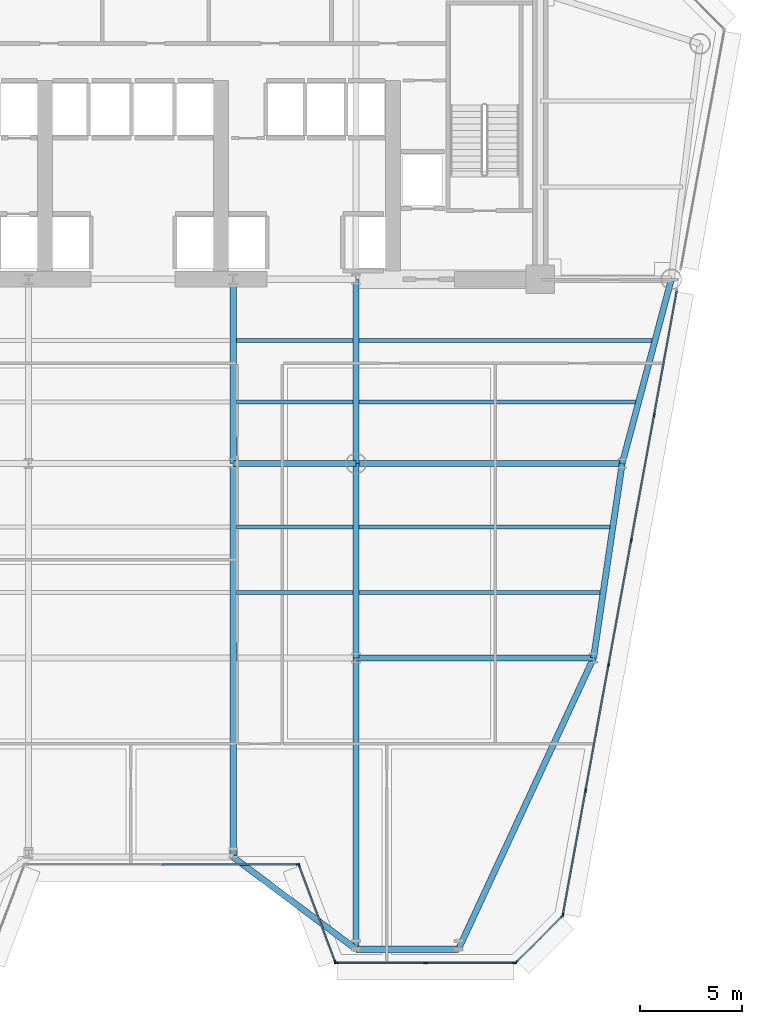
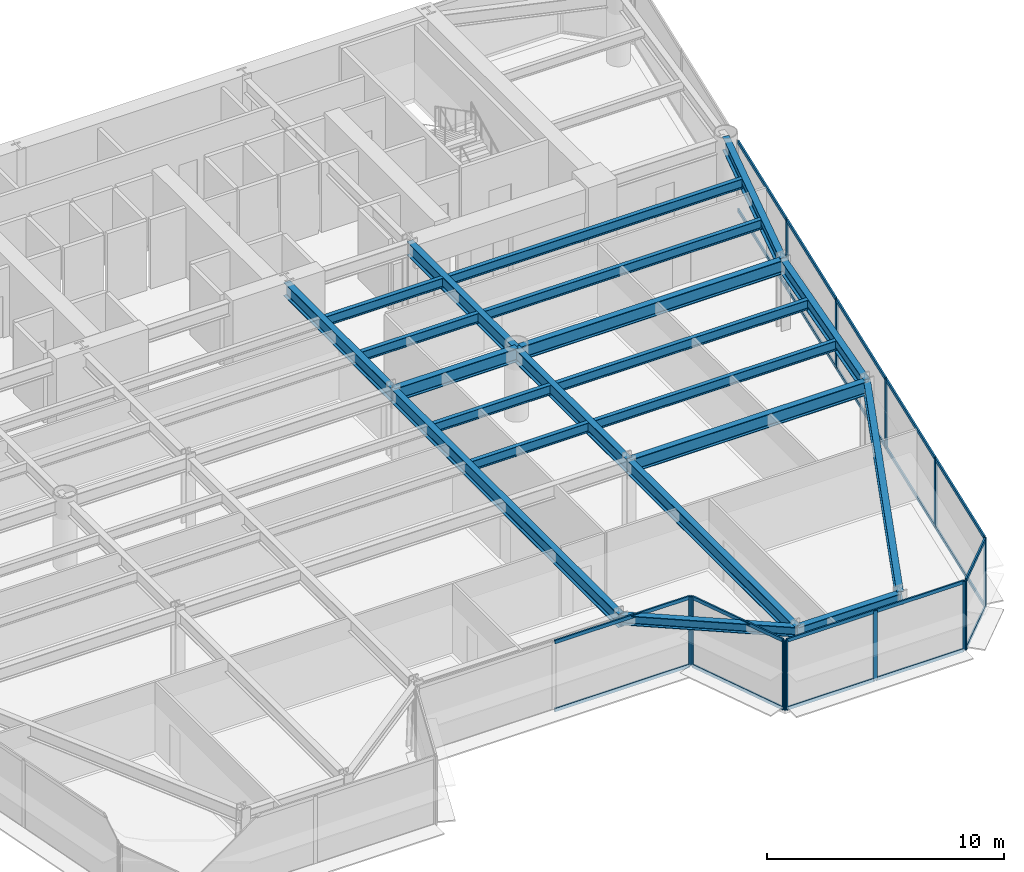
# One storey, part 5 of 15: 33 members, 21 beams, 5 elements without a shape of their own.
"""IFC4 building model written with IfcOpenShell, lengths in metres."""

import ifcopenshell
import ifcopenshell.guid

model = None  # the IFC model being written
_history = None  # IfcOwnerHistory: only IFC2X3 demands one
_inside = {}  # id of a spatial element -> (the spatial element, [elements in it])
_under = {}  # id of a project, library or spatial element -> (it, [spatial elements below it])
_declared = {}  # id of a project -> (the project, [libraries it declares])
_typed = {}  # id of a type object -> (the type object, [elements of that type])
_made_of = {}  # id of a material, layer set ... -> (it, [elements and type objects made of it])


def new_model(schema):
    """Start an empty IFC model of exactly this schema.

    Asked for "IFC4X3", IfcOpenShell would pick the latest addendum, in which some entities
    have other attributes; the version numbers below select the first issue.
    IFC2X3 requires an IfcOwnerHistory on every rooted entity: one is made here for all.
    """
    global model, _history
    if schema == "IFC4X3":
        model = ifcopenshell.file(schema_version=(4, 3, 0, 0))
    else:
        model = ifcopenshell.file(schema=schema)
    _inside.clear()
    _under.clear()
    _declared.clear()
    _typed.clear()
    _made_of.clear()
    _history = None
    if model.schema == "IFC2X3":
        org = make("IfcOrganization", Name="unknown")
        user = make(
            "IfcPersonAndOrganization",
            ThePerson=make("IfcPerson", FamilyName="unknown"),
            TheOrganization=org,
        )
        app = make(
            "IfcApplication",
            ApplicationDeveloper=org,
            Version="unknown",
            ApplicationFullName="unknown",
            ApplicationIdentifier="unknown",
        )
        _history = make(
            "IfcOwnerHistory",
            OwningUser=user,
            OwningApplication=app,
            ChangeAction="ADDED",
            CreationDate=0,
        )
    return model


def make(cls, **values):
    """One entity of the class cls with the attributes given. An attribute that is None is left unset."""
    return model.create_entity(
        cls, **{name: value for name, value in values.items() if value is not None}
    )


def rooted(cls, **values):
    """An entity with a GlobalId (a new one), such as an element, a storey or a relation."""
    return make(cls, GlobalId=ifcopenshell.guid.new(), OwnerHistory=_history, **values)


def si_unit(unit_type, name, prefix=None):
    """IfcSIUnit, for example si_unit("LENGTHUNIT", "METRE", prefix="MILLI")."""
    return make("IfcSIUnit", UnitType=unit_type, Prefix=prefix, Name=name)


def assignment(units):
    """IfcUnitAssignment: the units of a project."""
    return None if units is None else make("IfcUnitAssignment", Units=units)


def point(xyz):
    """IfcCartesianPoint."""
    return None if xyz is None else make("IfcCartesianPoint", Coordinates=xyz)


def direction(xyz):
    """IfcDirection."""
    return None if xyz is None else make("IfcDirection", DirectionRatios=xyz)


def frame(location, z_axis=None, x_axis=None):
    """IfcAxis2Placement3D, a coordinate frame: its origin and axes. An axis left out is left unset."""
    return make(
        "IfcAxis2Placement3D",
        Location=point(location),
        Axis=direction(z_axis),
        RefDirection=direction(x_axis),
    )


def frame_2d(location, x_axis=None):
    """IfcAxis2Placement2D, a coordinate frame in the plane: its origin and x axis."""
    return make(
        "IfcAxis2Placement2D", Location=point(location), RefDirection=direction(x_axis)
    )


def origin():
    """The frame at (0, 0, 0) with its axes left unset."""
    return frame((0.0, 0.0, 0.0))


def origin_2d():
    """The frame at (0, 0) in the plane with its x axis left unset."""
    return frame_2d((0.0, 0.0))


def place(relative_to, where):
    """IfcLocalPlacement: puts the frame where relative to a parent placement (None: the world)."""
    return make(
        "IfcLocalPlacement", PlacementRelTo=relative_to, RelativePlacement=where
    )


def context(
    kind, dimensions, precision=None, world=None, true_north=None, identifier=None
):
    """IfcGeometricRepresentationContext, for example the 3D "Model" context."""
    return make(
        "IfcGeometricRepresentationContext",
        ContextIdentifier=identifier,
        ContextType=kind,
        CoordinateSpaceDimension=dimensions,
        Precision=precision,
        WorldCoordinateSystem=world,
        TrueNorth=true_north,
    )


def subcontext(parent, identifier, kind, view, scale=None):
    """IfcGeometricRepresentationSubContext, for example "Body" below "Model"."""
    return make(
        "IfcGeometricRepresentationSubContext",
        ContextIdentifier=identifier,
        ContextType=kind,
        ParentContext=parent,
        TargetScale=scale,
        TargetView=view,
    )


def project(units=None, contexts=None):
    """IfcProject with its units and contexts."""
    return rooted(
        "IfcProject",
        Name="project",
        RepresentationContexts=contexts,
        UnitsInContext=assignment(units),
    )


def spatial(cls, under=None, at=None, **own):
    """A site, building, storey or space (cls), placed at a placement, below another one or the project."""
    s = rooted(cls, ObjectPlacement=at, **own)
    if under is not None:
        _under.setdefault(under.id(), (under, []))[1].append(s)
    return s


def profile(cls, at=None, kind="AREA", **sizes):
    """A parametric profile (cls). Its sizes go by their IFC names, for example OverallWidth=200.0."""
    return make(cls, ProfileType=kind, Position=at, **sizes)


def rectangle(**sizes):
    """IfcRectangleProfileDef."""
    return profile("IfcRectangleProfileDef", **sizes)


def i_section(**sizes):
    """IfcIShapeProfileDef."""
    return profile("IfcIShapeProfileDef", **sizes)


def extrude(swept, where, along, depth):
    """IfcExtrudedAreaSolid: the profile swept, set in the frame where, extruded along a direction by depth."""
    return make(
        "IfcExtrudedAreaSolid",
        SweptArea=swept,
        Position=where,
        ExtrudedDirection=direction(along),
        Depth=depth,
    )


def shape(context_of_items, identifier, shape_type, items):
    """IfcShapeRepresentation: the items that make up one representation, for example the "Body"."""
    return make(
        "IfcShapeRepresentation",
        ContextOfItems=context_of_items,
        RepresentationIdentifier=identifier,
        RepresentationType=shape_type,
        Items=items,
    )


def source(mapping_origin, context_of_items, identifier, shape_type, items):
    """IfcRepresentationMap: a shape defined once, which mapped items show again and again."""
    return make(
        "IfcRepresentationMap",
        MappingOrigin=mapping_origin,
        MappedRepresentation=shape(context_of_items, identifier, shape_type, items),
    )


def transform(
    local_origin,
    x_axis=None,
    y_axis=None,
    z_axis=None,
    scale=None,
    scale2=None,
    scale3=None,
    uniform=True,
):
    """IfcCartesianTransformationOperator3D, or its non-uniform kind. x_axis, y_axis, z_axis: its Axis1, 2, 3."""
    if uniform:
        return make(
            "IfcCartesianTransformationOperator3D",
            Axis1=direction(x_axis),
            Axis2=direction(y_axis),
            LocalOrigin=point(local_origin),
            Scale=scale,
            Axis3=direction(z_axis),
        )
    return make(
        "IfcCartesianTransformationOperator3DnonUniform",
        Axis1=direction(x_axis),
        Axis2=direction(y_axis),
        LocalOrigin=point(local_origin),
        Scale=scale,
        Axis3=direction(z_axis),
        Scale2=scale2,
        Scale3=scale3,
    )


def mapped(mapping_source, mapping_target):
    """IfcMappedItem: shows the shape of a source again, moved by a transform."""
    return make(
        "IfcMappedItem", MappingSource=mapping_source, MappingTarget=mapping_target
    )


def material(Name=None, Category=None):
    """IfcMaterial."""
    return make("IfcMaterial", Name=Name, Category=Category)


def layer(
    of_material, thickness, ventilated=None, Name=None, Category=None, Priority=None
):
    """IfcMaterialLayer: one layer of a wall or slab, of a material (None: an air gap)."""
    return make(
        "IfcMaterialLayer",
        Material=of_material,
        LayerThickness=thickness,
        IsVentilated=ventilated,
        Name=Name,
        Category=Category,
        Priority=Priority,
    )


def layer_set(layers, Name=None):
    """IfcMaterialLayerSet."""
    return make("IfcMaterialLayerSet", MaterialLayers=layers, LayerSetName=Name)


def material_profile(
    of_material, cross_section, Name=None, Category=None, Priority=None
):
    """IfcMaterialProfile: a cross section and its material."""
    return make(
        "IfcMaterialProfile",
        Name=Name,
        Material=of_material,
        Profile=cross_section,
        Priority=Priority,
        Category=Category,
    )


def profile_set(profiles, Name=None, composite=None):
    """IfcMaterialProfileSet."""
    return make(
        "IfcMaterialProfileSet",
        Name=Name,
        MaterialProfiles=profiles,
        CompositeProfile=composite,
    )


def made_of(thing, what):
    """Note that an element or type object is made of a material, layer set ...; save() writes the relation."""
    if what is not None:
        _made_of.setdefault(what.id(), (what, []))[1].append(thing)
    return thing


def type_object(cls, material=None, **own):
    """A type object (cls), such as IfcWallType, which elements share."""
    return made_of(rooted(cls, **own), material)


def element(
    cls,
    number,
    at=None,
    inside=None,
    cuts=None,
    type_object=None,
    material=None,
    context=None,
    identifier="Body",
    shape_type=None,
    held_by="IfcProductDefinitionShape",
    body=None,
    shapes=None,
    **own,
):
    """One element of the class cls, such as IfcWall. Its Tag is "e" and its number.

    at: its placement. inside: the storey or other place that contains it. cuts: it is an
    opening in that element (IfcRelVoidsElement). A single representation is given by context,
    identifier, shape_type and body (its items); several are given by shapes. held_by: the class
    of the entity that holds the representations. save() writes the other relations.
    """
    e = rooted(cls, Tag="e%d" % number, ObjectPlacement=at, **own)
    if body is not None:
        shapes = [shape(context, identifier, shape_type, body)]
    if shapes is not None:
        e.Representation = make(held_by, Representations=shapes)
    if inside is not None:
        _inside.setdefault(inside.id(), (inside, []))[1].append(e)
    if cuts is not None:
        rooted(
            "IfcRelVoidsElement", RelatingBuildingElement=cuts, RelatedOpeningElement=e
        )
    if type_object is not None:
        _typed.setdefault(type_object.id(), (type_object, []))[1].append(e)
    return made_of(e, material)


def aggregate(whole, parts):
    """IfcRelAggregates: a whole, such as a stair, and the parts it consists of."""
    return rooted("IfcRelAggregates", RelatingObject=whole, RelatedObjects=parts)


def save(model, path):
    """Write the relations noted so far, then the file.

    IfcRelAggregates (storeys below a building ...), IfcRelContainedInSpatialStructure (elements
    in a storey), IfcRelDefinesByType, IfcRelAssociatesMaterial and IfcRelDeclares: one each for
    every whole, place, type object, material and project.
    """
    for whole, parts in _under.values():
        aggregate(whole, parts)
    for where, things in _inside.values():
        rooted(
            "IfcRelContainedInSpatialStructure",
            RelatedElements=things,
            RelatingStructure=where,
        )
    for kind, things in _typed.values():
        rooted("IfcRelDefinesByType", RelatedObjects=things, RelatingType=kind)
    for what, things in _made_of.values():
        rooted("IfcRelAssociatesMaterial", RelatedObjects=things, RelatingMaterial=what)
    for by, libraries in _declared.values():
        rooted("IfcRelDeclares", RelatingContext=by, RelatedDefinitions=libraries)
    model.write(path)


model = new_model("IFC4")

# Units and contexts
model_context = context("Model", 3, precision=1e-05, world=origin(), true_north=direction((0.0, 1.0)))
body_context = subcontext(model_context, "Body", "Model", "MODEL_VIEW")
ifc_project = project(units=[si_unit("LENGTHUNIT", "METRE"), si_unit("AREAUNIT", "SQUARE_METRE"), si_unit("VOLUMEUNIT", "CUBIC_METRE"), si_unit("PLANEANGLEUNIT", "RADIAN"), si_unit("MASSUNIT", "GRAM", prefix="KILO")], contexts=[model_context])

# Site, building, storey
site_placement = place(None, origin())
site = spatial("IfcSite", under=ifc_project, at=site_placement, CompositionType="ELEMENT")
building_placement = place(site_placement, origin())
building = spatial("IfcBuilding", under=site, at=building_placement, Name="Vaeldorn Concourse Tower", CompositionType="ELEMENT")
storey_placement = place(building_placement, frame((0.0, 0.0, 95.800048828125)))
storey = spatial("IfcBuildingStorey", under=building, at=storey_placement, Name="L24", CompositionType="ELEMENT", Elevation=95.800048828125)

# Beams
ifc_material_1 = material(Name="Steel S355", Category="steel")
ifc_material_profile_1 = material_profile(ifc_material_1, i_section(OverallWidth=0.199951171875, OverallDepth=0.5, WebThickness=0.01025390625, FlangeThickness=0.01611328125, FilletRadius=0.02099609375, at=origin_2d()), Name="IPE 500")
ifc_profile_set_1 = profile_set([ifc_material_profile_1], Name="Steel S355")
beam_type_1 = type_object("IfcBeamType", Name="BM-JS-IPE500", PredefinedType="JOIST", material=ifc_profile_set_1)
shared_shape_1 = source(origin(), body_context, "Body", "SweptSolid", [
    extrude(i_section(OverallWidth=0.199951171875, OverallDepth=0.5, WebThickness=0.01025390625, FlangeThickness=0.01611328125, FilletRadius=0.02099609375, at=origin_2d()), origin(), (0.0, 0.0, 1.0), 5.7001953125),
])
for number, where, z_axis, x_axis, name in (
    (1, (39.14990234375, 21.199951171875, 3.329833984375), (1.0, 0.0, 0.0), (0.0, 1.0, 0.0), "Beam JS-L24-E2-212"),
    (2, (39.14990234375, 24.39990234375, 3.329833984375), (1.0, 0.0, 0.0), (0.0, 1.0, 0.0), "Beam JS-L24-E2-244"),
    (3, (39.14990234375, 30.5, 3.329833984375), (1.0, 0.0, 0.0), (0.0, 1.0, 0.0), "Beam JS-L24-E2-305"),
    (4, (39.14990234375, 33.5, 3.329833984375), (1.0, 0.0, 0.0), (0.0, 1.0, 0.0), "Beam JS-L24-E2-335"),
):
    element("IfcBeam", number, at=place(storey_placement, frame(where, z_axis=z_axis, x_axis=x_axis)), inside=storey, type_object=beam_type_1, Name=name, PredefinedType="JOIST", context=body_context, shape_type="MappedRepresentation", body=[
        mapped(shared_shape_1, transform((0.0, 0.0, 0.0), scale=1.0)),
    ])
shared_shape_2 = source(origin(), body_context, "Body", "SweptSolid", [
    extrude(i_section(OverallWidth=0.199951171875, OverallDepth=0.5, WebThickness=0.01025390625, FlangeThickness=0.01611328125, FilletRadius=0.02099609375, at=origin_2d()), origin(), (0.0, 0.0, 1.0), 11.771728515625),
])
beam_1_placement = place(storey_placement, frame((45.14990234375, 21.199951171875, 3.329833984375), z_axis=(1.0, 0.0, 0.0), x_axis=(0.0, 1.0, 0.0)))
element("IfcBeam", 5, at=beam_1_placement, inside=storey, type_object=beam_type_1, Name="Beam JS-L24-E1-212", PredefinedType="JOIST", context=body_context, shape_type="MappedRepresentation", body=[
    mapped(shared_shape_2, transform((0.0, 0.0, 0.0), scale=1.0)),
])
shared_shape_3 = source(origin(), body_context, "Body", "SweptSolid", [
    extrude(i_section(OverallWidth=0.199951171875, OverallDepth=0.5, WebThickness=0.01025390625, FlangeThickness=0.01611328125, FilletRadius=0.02099609375, at=origin_2d()), origin(), (0.0, 0.0, 1.0), 12.243408203125),
])
beam_2_placement = place(storey_placement, frame((45.14990234375, 24.39990234375, 3.329833984375), z_axis=(1.0, 0.0, 0.0), x_axis=(0.0, 1.0, 0.0)))
element("IfcBeam", 6, at=beam_2_placement, inside=storey, type_object=beam_type_1, Name="Beam JS-L24-E1-244", PredefinedType="JOIST", context=body_context, shape_type="MappedRepresentation", body=[
    mapped(shared_shape_3, transform((0.0, 0.0, 0.0), scale=1.0)),
])
shared_shape_4 = source(origin(), body_context, "Body", "SweptSolid", [
    extrude(i_section(OverallWidth=0.199951171875, OverallDepth=0.5, WebThickness=0.01025390625, FlangeThickness=0.01611328125, FilletRadius=0.02099609375, at=origin_2d()), origin(), (0.0, 0.0, 1.0), 13.5),
])
beam_3_placement = place(storey_placement, frame((45.14990234375, 30.5, 3.329833984375), z_axis=(1.0, 0.0, 0.0), x_axis=(0.0, 1.0, 0.0)))
element("IfcBeam", 7, at=beam_3_placement, inside=storey, type_object=beam_type_1, Name="Beam JS-L24-E1-305", PredefinedType="JOIST", context=body_context, shape_type="MappedRepresentation", body=[
    mapped(shared_shape_4, transform((0.0, 0.0, 0.0), scale=1.0)),
])
shared_shape_5 = source(origin(), body_context, "Body", "SweptSolid", [
    extrude(i_section(OverallWidth=0.199951171875, OverallDepth=0.5, WebThickness=0.01025390625, FlangeThickness=0.01611328125, FilletRadius=0.02099609375, at=origin_2d()), origin(), (0.0, 0.0, 1.0), 14.300048828125),
])
beam_4_placement = place(storey_placement, frame((45.14990234375, 33.5, 3.329833984375), z_axis=(1.0, 0.0, 0.0), x_axis=(0.0, 1.0, 0.0)))
element("IfcBeam", 8, at=beam_4_placement, inside=storey, type_object=beam_type_1, Name="Beam JS-L24-E1-335", PredefinedType="JOIST", context=body_context, shape_type="MappedRepresentation", body=[
    mapped(shared_shape_5, transform((0.0, 0.0, 0.0), scale=1.0)),
])
ifc_material_profile_2 = material_profile(ifc_material_1, i_section(OverallWidth=0.300048828125, OverallDepth=0.699951171875, WebThickness=0.01708984375, FlangeThickness=0.031982421875, FilletRadius=0.027099609375, at=origin_2d()), Name="HEB 700")
ifc_profile_set_2 = profile_set([ifc_material_profile_2], Name="Steel S355")
beam_type_2 = type_object("IfcBeamType", Name="BM-PG-HEB700", PredefinedType="BEAM", material=ifc_profile_set_2)
shared_shape_6 = source(origin(), body_context, "Body", "SweptSolid", [
    extrude(i_section(OverallWidth=0.300048828125, OverallDepth=0.699951171875, WebThickness=0.01708984375, FlangeThickness=0.031982421875, FilletRadius=0.027099609375, at=origin_2d()), origin(), (0.0, 0.0, 1.0), 6.0),
])
beam_5_placement = place(storey_placement, frame((39.0, 27.5, 3.22998046875), z_axis=(1.0, 0.0, 0.0), x_axis=(0.0, 1.0, 0.0)))
element("IfcBeam", 9, at=beam_5_placement, inside=storey, type_object=beam_type_2, Name="Beam BM-L24-C-TW3-C-TW4", PredefinedType="BEAM", context=body_context, shape_type="MappedRepresentation", body=[
    mapped(shared_shape_6, transform((0.0, 0.0, 0.0), scale=1.0)),
])
shared_shape_7 = source(origin(), body_context, "Body", "SweptSolid", [
    extrude(i_section(OverallWidth=0.300048828125, OverallDepth=0.699951171875, WebThickness=0.01708984375, FlangeThickness=0.031982421875, FilletRadius=0.027099609375, at=origin_2d()), origin(), (0.0, 0.0, 1.0), 9.0),
])
for number, where, z_axis, x_axis, name in (
    (10, (39.0, 27.5, 3.22998046875), (0.0, 1.0, 0.0), (-1.0, 0.0, 0.0), "Beam BM-L24-C-TW3-C-FC4"),
    (11, (45.0, 27.5, 3.22998046875), (0.0, 1.0, 0.0), (-1.0, 0.0, 0.0), "Beam BM-L24-C-TW4-C-FC5"),
):
    element("IfcBeam", number, at=place(storey_placement, frame(where, z_axis=z_axis, x_axis=x_axis)), inside=storey, type_object=beam_type_2, Name=name, PredefinedType="BEAM", context=body_context, shape_type="MappedRepresentation", body=[
        mapped(shared_shape_7, transform((0.0, 0.0, 0.0), scale=1.0)),
    ])
shared_shape_8 = source(origin(), body_context, "Body", "SweptSolid", [
    extrude(i_section(OverallWidth=0.300048828125, OverallDepth=0.699951171875, WebThickness=0.01708984375, FlangeThickness=0.031982421875, FilletRadius=0.027099609375, at=origin_2d()), origin(), (0.0, 0.0, 1.0), 9.314453125),
])
beam_6_placement = place(storey_placement, frame((60.39990234375, 36.5, 3.22998046875), z_axis=(-0.257652862255, -0.966237549763, 0.0), x_axis=(0.966237549763, -0.257652862255, 0.0)))
element("IfcBeam", 12, at=beam_6_placement, inside=storey, type_object=beam_type_2, Name="Beam BM-L24-C-NE2-C-FLE1", PredefinedType="BEAM", context=body_context, shape_type="MappedRepresentation", body=[
    mapped(shared_shape_8, transform((0.0, 0.0, 0.0), scale=1.0)),
])
shared_shape_9 = source(origin(), body_context, "Body", "SweptSolid", [
    extrude(i_section(OverallWidth=0.300048828125, OverallDepth=0.699951171875, WebThickness=0.01708984375, FlangeThickness=0.031982421875, FilletRadius=0.027099609375, at=origin_2d()), origin(), (0.0, 0.0, 1.0), 13.0),
])
beam_7_placement = place(storey_placement, frame((45.0, 27.5, 3.22998046875), z_axis=(1.0, 0.0, 0.0), x_axis=(0.0, 1.0, 0.0)))
element("IfcBeam", 13, at=beam_7_placement, inside=storey, type_object=beam_type_2, Name="Beam BM-L24-C-TW4-C-FLE1", PredefinedType="BEAM", context=body_context, shape_type="MappedRepresentation", body=[
    mapped(shared_shape_9, transform((0.0, 0.0, 0.0), scale=1.0)),
])
ifc_material_profile_3 = material_profile(ifc_material_1, i_section(OverallWidth=0.300048828125, OverallDepth=0.5, WebThickness=0.014404296875, FlangeThickness=0.028076171875, FilletRadius=0.027099609375, at=origin_2d()), Name="HEB 500")
ifc_profile_set_3 = profile_set([ifc_material_profile_3], Name="Steel S355")
beam_type_3 = type_object("IfcBeamType", Name="BM-SP-HEB500", PredefinedType="SPANDREL", material=ifc_profile_set_3)
shared_shape_10 = source(origin(), body_context, "Body", "SweptSolid", [
    extrude(i_section(OverallWidth=0.300048828125, OverallDepth=0.5, WebThickness=0.014404296875, FlangeThickness=0.028076171875, FilletRadius=0.027099609375, at=origin_2d()), origin(), (0.0, 0.0, 1.0), 5.0),
])
beam_8_placement = place(storey_placement, frame((45.0, 3.768798828125, 3.329833984375), z_axis=(1.0, 0.0, 0.0), x_axis=(0.0, 1.0, 0.0)))
element("IfcBeam", 14, at=beam_8_placement, inside=storey, type_object=beam_type_3, Name="Beam BM-L24-C-SF5-C-SF6", PredefinedType="SPANDREL", context=body_context, shape_type="MappedRepresentation", body=[
    mapped(shared_shape_10, transform((0.0, 0.0, 0.0), scale=1.0)),
])
shared_shape_11 = source(origin(), body_context, "Body", "SweptSolid", [
    extrude(i_section(OverallWidth=0.300048828125, OverallDepth=0.5, WebThickness=0.014404296875, FlangeThickness=0.028076171875, FilletRadius=0.027099609375, at=origin_2d()), origin(), (0.0, 0.0, 1.0), 7.5),
])
beam_9_placement = place(storey_placement, frame((39.0, 8.268798828125, 3.329833984375), z_axis=(0.8, -0.6, 0.0), x_axis=(0.6, 0.8, 0.0)))
element("IfcBeam", 15, at=beam_9_placement, inside=storey, type_object=beam_type_3, Name="Beam BM-L24-C-SF4-C-SF5", PredefinedType="SPANDREL", context=body_context, shape_type="MappedRepresentation", body=[
    mapped(shared_shape_11, transform((0.0, 0.0, 0.0), scale=1.0)),
])
shared_shape_12 = source(origin(), body_context, "Body", "SweptSolid", [
    extrude(i_section(OverallWidth=0.300048828125, OverallDepth=0.699951171875, WebThickness=0.01708984375, FlangeThickness=0.031982421875, FilletRadius=0.027099609375, at=origin_2d()), origin(), (0.0, 0.0, 1.0), 9.6025390625),
])
beam_10_placement = place(storey_placement, frame((58.0, 27.5, 3.22998046875), z_axis=(-0.145783835977, -0.989316467652, 0.0), x_axis=(0.989316467652, -0.145783835977, 0.0)))
element("IfcBeam", 16, at=beam_10_placement, inside=storey, type_object=beam_type_2, Name="Beam BM-L24-C-FLE1-C-FLE2", PredefinedType="BEAM", context=body_context, shape_type="MappedRepresentation", body=[
    mapped(shared_shape_12, transform((0.0, 0.0, 0.0), scale=1.0)),
])
shared_shape_13 = source(origin(), body_context, "Body", "SweptSolid", [
    extrude(i_section(OverallWidth=0.300048828125, OverallDepth=0.699951171875, WebThickness=0.01708984375, FlangeThickness=0.031982421875, FilletRadius=0.027099609375, at=origin_2d()), origin(), (0.0, 0.0, 1.0), 11.60009765625),
])
beam_11_placement = place(storey_placement, frame((45.0, 18.0, 3.22998046875), z_axis=(1.0, 0.0, 0.0), x_axis=(0.0, 1.0, 0.0)))
element("IfcBeam", 17, at=beam_11_placement, inside=storey, type_object=beam_type_2, Name="Beam BM-L24-C-TW6-C-FLE2", PredefinedType="BEAM", context=body_context, shape_type="MappedRepresentation", body=[
    mapped(shared_shape_13, transform((0.0, 0.0, 0.0), scale=1.0)),
])
shared_shape_14 = source(origin(), body_context, "Body", "SweptSolid", [
    extrude(i_section(OverallWidth=0.300048828125, OverallDepth=0.699951171875, WebThickness=0.01708984375, FlangeThickness=0.031982421875, FilletRadius=0.027099609375, at=origin_2d()), origin(), (0.0, 0.0, 1.0), 9.5),
])
beam_12_placement = place(storey_placement, frame((45.0, 18.0, 3.22998046875), z_axis=(0.0, 1.0, 0.0), x_axis=(-1.0, 0.0, 0.0)))
element("IfcBeam", 18, at=beam_12_placement, inside=storey, type_object=beam_type_2, Name="Beam BM-L24-C-TW6-C-TW4", PredefinedType="BEAM", context=body_context, shape_type="MappedRepresentation", body=[
    mapped(shared_shape_14, transform((0.0, 0.0, 0.0), scale=1.0)),
])
shared_shape_15 = source(origin(), body_context, "Body", "SweptSolid", [
    extrude(i_section(OverallWidth=0.300048828125, OverallDepth=0.699951171875, WebThickness=0.01708984375, FlangeThickness=0.031982421875, FilletRadius=0.027099609375, at=origin_2d()), origin(), (0.0, 0.0, 1.0), 15.687255859375),
])
beam_13_placement = place(storey_placement, frame((50.0, 3.768798828125, 3.22998046875), z_axis=(0.420731289572, 0.907185307407, 0.0), x_axis=(-0.907185307407, 0.420731289572, 0.0)))
element("IfcBeam", 19, at=beam_13_placement, inside=storey, type_object=beam_type_2, Name="Beam BM-L24-C-SF6-C-FLE2", PredefinedType="BEAM", context=body_context, shape_type="MappedRepresentation", body=[
    mapped(shared_shape_15, transform((0.0, 0.0, 0.0), scale=1.0)),
])
shared_shape_16 = source(origin(), body_context, "Body", "SweptSolid", [
    extrude(i_section(OverallWidth=0.300048828125, OverallDepth=0.699951171875, WebThickness=0.01708984375, FlangeThickness=0.031982421875, FilletRadius=0.027099609375, at=origin_2d()), origin(), (0.0, 0.0, 1.0), 14.231201171875),
])
beam_14_placement = place(storey_placement, frame((45.0, 3.768798828125, 3.22998046875), z_axis=(0.0, 1.0, 0.0), x_axis=(-1.0, 0.0, 0.0)))
element("IfcBeam", 20, at=beam_14_placement, inside=storey, type_object=beam_type_2, Name="Beam BM-L24-C-SF5-C-TW6", PredefinedType="BEAM", context=body_context, shape_type="MappedRepresentation", body=[
    mapped(shared_shape_16, transform((0.0, 0.0, 0.0), scale=1.0)),
])
shared_shape_17 = source(origin(), body_context, "Body", "SweptSolid", [
    extrude(i_section(OverallWidth=0.300048828125, OverallDepth=0.699951171875, WebThickness=0.01708984375, FlangeThickness=0.031982421875, FilletRadius=0.027099609375, at=origin_2d()), origin(), (0.0, 0.0, 1.0), 19.231201171875),
])
beam_15_placement = place(storey_placement, frame((39.0, 8.268798828125, 3.22998046875), z_axis=(0.0, 1.0, 0.0), x_axis=(-1.0, 0.0, 0.0)))
element("IfcBeam", 21, at=beam_15_placement, inside=storey, type_object=beam_type_2, Name="Beam BM-L24-C-SF4-C-TW3", PredefinedType="BEAM", context=body_context, shape_type="MappedRepresentation", body=[
    mapped(shared_shape_17, transform((0.0, 0.0, 0.0), scale=1.0)),
])

# Curtain wall, members
ifc_material_2 = material(Name="Anodised Bronze Aluminium", Category="aluminium")
ifc_layer = layer(ifc_material_2, 0.199951171875)
ifc_layer_set = layer_set([ifc_layer], Name="Anodised Bronze Aluminium")
curtain_wall_type = type_object("IfcCurtainWallType", Name="CW-SYS-02", PredefinedType="NOTDEFINED", material=ifc_layer_set)
curtain_wall_1_placement = place(storey_placement, origin())
curtain_wall_1 = element("IfcCurtainWall", 22, at=curtain_wall_1_placement, inside=storey, type_object=curtain_wall_type, Name="Unitised Curtain Wall CW-L24-E03-1", PredefinedType="NOTDEFINED")
ifc_material_profile_4 = material_profile(ifc_material_2, rectangle(XDim=0.074951171875, YDim=0.179931640625, at=origin_2d()), Name="CWT 75x180")
ifc_profile_set_4 = profile_set([ifc_material_profile_4], Name="Anodised Bronze Aluminium")
member_type_1 = type_object("IfcMemberType", Name="CWT-BRONZE-180", PredefinedType="USERDEFINED", material=ifc_profile_set_4)
shared_shape_18 = source(origin(), body_context, "Body", "SweptSolid", [
    extrude(rectangle(XDim=0.074951171875, YDim=0.179931640625, at=origin_2d()), origin(), (0.0, 0.0, 1.0), 6.58740234375),
])
member_1_placement = place(storey_placement, frame((35.53759765625, 7.907958984375, 0.037353515625), z_axis=(1.0, 0.0, 0.0), x_axis=(0.0, 1.0, 0.0)))
member_1 = element("IfcMember", 23, at=member_1_placement, type_object=member_type_1, Name="CW-02 transom 2.1", ObjectType="TRANSOM", PredefinedType="USERDEFINED", context=body_context, shape_type="MappedRepresentation", body=[
    mapped(shared_shape_18, transform((0.0, 0.0, 0.0), scale=1.0)),
])
member_2_placement = place(storey_placement, frame((35.53759765625, 7.907958984375, 3.54248046875), z_axis=(1.0, 0.0, 0.0), x_axis=(0.0, 1.0, 0.0)))
member_2 = element("IfcMember", 24, at=member_2_placement, type_object=member_type_1, Name="CW-02 transom 2.2", ObjectType="TRANSOM", PredefinedType="USERDEFINED", context=body_context, shape_type="MappedRepresentation", body=[
    mapped(shared_shape_18, transform((0.0, 0.0, 0.0), scale=1.0)),
])

curtain_wall_2_placement = place(storey_placement, origin())
curtain_wall_2 = element("IfcCurtainWall", 25, at=curtain_wall_2_placement, inside=storey, type_object=curtain_wall_type, Name="Unitised Curtain Wall CW-L24-E04-1", PredefinedType="NOTDEFINED")
shared_shape_19 = source(origin(), body_context, "Body", "SweptSolid", [
    extrude(rectangle(XDim=0.074951171875, YDim=0.179931640625, at=origin_2d()), origin(), (0.0, 0.0, 1.0), 4.9765625),
])
member_3_placement = place(storey_placement, frame((42.226318359375, 7.837890625, 0.037353515625), z_axis=(0.351112688987, -0.936333209724, 0.0), x_axis=(0.936333209724, 0.351112688987, 0.0)))
member_3 = element("IfcMember", 26, at=member_3_placement, type_object=member_type_1, Name="CW-02 transom 1.1", ObjectType="TRANSOM", PredefinedType="USERDEFINED", context=body_context, shape_type="MappedRepresentation", body=[
    mapped(shared_shape_19, transform((0.0, 0.0, 0.0), scale=1.0)),
])
member_4_placement = place(storey_placement, frame((42.226318359375, 7.837890625, 3.54248046875), z_axis=(0.351112688987, -0.936333209724, 0.0), x_axis=(0.936333209724, 0.351112688987, 0.0)))
member_4 = element("IfcMember", 27, at=member_4_placement, type_object=member_type_1, Name="CW-02 transom 1.2", ObjectType="TRANSOM", PredefinedType="USERDEFINED", context=body_context, shape_type="MappedRepresentation", body=[
    mapped(shared_shape_19, transform((0.0, 0.0, 0.0), scale=1.0)),
])

curtain_wall_3_placement = place(storey_placement, origin())
curtain_wall_3 = element("IfcCurtainWall", 28, at=curtain_wall_3_placement, inside=storey, type_object=curtain_wall_type, Name="Unitised Curtain Wall CW-L24-E06-1", PredefinedType="NOTDEFINED")
shared_shape_20 = source(origin(), body_context, "Body", "SweptSolid", [
    extrude(rectangle(XDim=0.074951171875, YDim=0.179931640625, at=origin_2d()), origin(), (0.0, 0.0, 1.0), 3.1025390625),
])
member_5_placement = place(storey_placement, frame((52.850830078125, 3.1611328125, 0.037353515625), z_axis=(0.707106781187, 0.707106781187, 0.0), x_axis=(-0.707106781187, 0.707106781187, 0.0)))
member_5 = element("IfcMember", 29, at=member_5_placement, type_object=member_type_1, Name="CW-02 transom 1.1", ObjectType="TRANSOM", PredefinedType="USERDEFINED", context=body_context, shape_type="MappedRepresentation", body=[
    mapped(shared_shape_20, transform((0.0, 0.0, 0.0), scale=1.0)),
])
member_6_placement = place(storey_placement, frame((52.850830078125, 3.1611328125, 3.54248046875), z_axis=(0.707106781187, 0.707106781187, 0.0), x_axis=(-0.707106781187, 0.707106781187, 0.0)))
member_6 = element("IfcMember", 30, at=member_6_placement, type_object=member_type_1, Name="CW-02 transom 1.2", ObjectType="TRANSOM", PredefinedType="USERDEFINED", context=body_context, shape_type="MappedRepresentation", body=[
    mapped(shared_shape_20, transform((0.0, 0.0, 0.0), scale=1.0)),
])

curtain_wall_4_placement = place(storey_placement, origin())
curtain_wall_4 = element("IfcCurtainWall", 31, at=curtain_wall_4_placement, inside=storey, type_object=curtain_wall_type, Name="Unitised Curtain Wall CW-L24-E05-1", PredefinedType="NOTDEFINED")
shared_shape_21 = source(origin(), body_context, "Body", "SweptSolid", [
    extrude(rectangle(XDim=0.074951171875, YDim=0.179931640625, at=origin_2d()), origin(), (0.0, 0.0, 1.0), 4.286376953125),
])
member_7_placement = place(storey_placement, frame((44.074951171875, 3.10791015625, 0.037353515625), z_axis=(1.0, 0.0, 0.0), x_axis=(0.0, 1.0, 0.0)))
member_7 = element("IfcMember", 32, at=member_7_placement, type_object=member_type_1, Name="CW-02 transom 1.1", ObjectType="TRANSOM", PredefinedType="USERDEFINED", context=body_context, shape_type="MappedRepresentation", body=[
    mapped(shared_shape_21, transform((0.0, 0.0, 0.0), scale=1.0)),
])
member_8_placement = place(storey_placement, frame((44.074951171875, 3.10791015625, 3.54248046875), z_axis=(1.0, 0.0, 0.0), x_axis=(0.0, 1.0, 0.0)))
member_8 = element("IfcMember", 33, at=member_8_placement, type_object=member_type_1, Name="CW-02 transom 1.2", ObjectType="TRANSOM", PredefinedType="USERDEFINED", context=body_context, shape_type="MappedRepresentation", body=[
    mapped(shared_shape_21, transform((0.0, 0.0, 0.0), scale=1.0)),
])
shared_shape_22 = source(origin(), body_context, "Body", "SweptSolid", [
    extrude(rectangle(XDim=0.074951171875, YDim=0.179931640625, at=origin_2d()), origin(), (0.0, 0.0, 1.0), 4.28662109375),
])
member_9_placement = place(storey_placement, frame((48.436279296875, 3.10791015625, 0.037353515625), z_axis=(1.0, 0.0, 0.0), x_axis=(0.0, 1.0, 0.0)))
member_9 = element("IfcMember", 34, at=member_9_placement, type_object=member_type_1, Name="CW-02 transom 2.1", ObjectType="TRANSOM", PredefinedType="USERDEFINED", context=body_context, shape_type="MappedRepresentation", body=[
    mapped(shared_shape_22, transform((0.0, 0.0, 0.0), scale=1.0)),
])
member_10_placement = place(storey_placement, frame((48.436279296875, 3.10791015625, 3.54248046875), z_axis=(1.0, 0.0, 0.0), x_axis=(0.0, 1.0, 0.0)))
member_10 = element("IfcMember", 35, at=member_10_placement, type_object=member_type_1, Name="CW-02 transom 2.2", ObjectType="TRANSOM", PredefinedType="USERDEFINED", context=body_context, shape_type="MappedRepresentation", body=[
    mapped(shared_shape_22, transform((0.0, 0.0, 0.0), scale=1.0)),
])

# Member
ifc_material_profile_5 = material_profile(ifc_material_2, rectangle(XDim=0.074951171875, YDim=0.18994140625, at=origin_2d()), Name="CWM 75x190")
ifc_profile_set_5 = profile_set([ifc_material_profile_5], Name="Anodised Bronze Aluminium")
member_type_2 = type_object("IfcMemberType", Name="CWM-BRONZE-190", PredefinedType="MULLION", material=ifc_profile_set_5)
shared_shape_23 = source(origin(), body_context, "Body", "SweptSolid", [
    extrude(rectangle(XDim=0.074951171875, YDim=0.18994140625, at=origin_2d()), origin(), (0.0, 0.0, 1.0), 3.579833984375),
])
member_11_placement = place(storey_placement, frame((42.16259765625, 7.907958984375, 0.0), z_axis=(0.0, 0.0, 1.0), x_axis=(0.0, 1.0, 0.0)))
member_11 = element("IfcMember", 36, at=member_11_placement, type_object=member_type_2, Name="CW-02 mullion 3", PredefinedType="MULLION", context=body_context, shape_type="MappedRepresentation", body=[
    mapped(shared_shape_23, transform((0.0, 0.0, 0.0), scale=1.0)),
])

aggregate(curtain_wall_1, [member_11, member_1, member_2])

member_12_placement = place(storey_placement, frame((42.213134765625, 7.872802734375, 0.0), z_axis=(0.0, 0.0, 1.0), x_axis=(0.936329177566, 0.351123441595, 0.0)))
member_12 = element("IfcMember", 37, at=member_12_placement, type_object=member_type_2, Name="CW-02 mullion 1", PredefinedType="MULLION", context=body_context, shape_type="MappedRepresentation", body=[
    mapped(shared_shape_23, transform((0.0, 0.0, 0.0), scale=1.0)),
])

member_13_placement = place(storey_placement, frame((43.98681640625, 3.14306640625, 0.0), z_axis=(0.0, 0.0, 1.0), x_axis=(0.936329177566, 0.351123441595, 0.0)))
member_13 = element("IfcMember", 38, at=member_13_placement, type_object=member_type_2, Name="CW-02 mullion 2", PredefinedType="MULLION", context=body_context, shape_type="MappedRepresentation", body=[
    mapped(shared_shape_23, transform((0.0, 0.0, 0.0), scale=1.0)),
])

aggregate(curtain_wall_2, [member_12, member_13, member_3, member_4])

member_14_placement = place(storey_placement, frame((44.03759765625, 3.10791015625, 0.0), z_axis=(0.0, 0.0, 1.0), x_axis=(0.0, 1.0, 0.0)))
member_14 = element("IfcMember", 39, at=member_14_placement, type_object=member_type_2, Name="CW-02 mullion 1", PredefinedType="MULLION", context=body_context, shape_type="MappedRepresentation", body=[
    mapped(shared_shape_23, transform((0.0, 0.0, 0.0), scale=1.0)),
])

member_15_placement = place(storey_placement, frame((48.39892578125, 3.10791015625, 0.0), z_axis=(0.0, 0.0, 1.0), x_axis=(0.0, 1.0, 0.0)))
member_15 = element("IfcMember", 40, at=member_15_placement, type_object=member_type_2, Name="CW-02 mullion 2", PredefinedType="MULLION", context=body_context, shape_type="MappedRepresentation", body=[
    mapped(shared_shape_23, transform((0.0, 0.0, 0.0), scale=1.0)),
])

member_16_placement = place(storey_placement, frame((52.76025390625, 3.10791015625, 0.0), z_axis=(0.0, 0.0, 1.0), x_axis=(0.0, 1.0, 0.0)))
member_16 = element("IfcMember", 41, at=member_16_placement, type_object=member_type_2, Name="CW-02 mullion 3", PredefinedType="MULLION", context=body_context, shape_type="MappedRepresentation", body=[
    mapped(shared_shape_23, transform((0.0, 0.0, 0.0), scale=1.0)),
])

aggregate(curtain_wall_4, [member_14, member_15, member_16, member_7, member_8, member_9, member_10])

member_17_placement = place(storey_placement, frame((52.82421875, 3.134521484375, 0.0), z_axis=(0.0, 0.0, 1.0), x_axis=(-0.707106781187, 0.707106781187, 0.0)))
member_17 = element("IfcMember", 42, at=member_17_placement, type_object=member_type_2, Name="CW-02 mullion 1", PredefinedType="MULLION", context=body_context, shape_type="MappedRepresentation", body=[
    mapped(shared_shape_23, transform((0.0, 0.0, 0.0), scale=1.0)),
])

member_18_placement = place(storey_placement, frame((55.0712890625, 5.381591796875, 0.0), z_axis=(0.0, 0.0, 1.0), x_axis=(-0.707106781187, 0.707106781187, 0.0)))
member_18 = element("IfcMember", 43, at=member_18_placement, type_object=member_type_2, Name="CW-02 mullion 2", PredefinedType="MULLION", context=body_context, shape_type="MappedRepresentation", body=[
    mapped(shared_shape_23, transform((0.0, 0.0, 0.0), scale=1.0)),
])

aggregate(curtain_wall_3, [member_17, member_18, member_5, member_6])

# Curtain wall, members
curtain_wall_5_placement = place(storey_placement, origin())
curtain_wall_5 = element("IfcCurtainWall", 44, at=curtain_wall_5_placement, inside=storey, type_object=curtain_wall_type, Name="Unitised Curtain Wall CW-L24-E07-1", PredefinedType="NOTDEFINED")
member_19_placement = place(storey_placement, frame((55.1044921875, 5.44482421875, 0.0), z_axis=(0.0, 0.0, 1.0), x_axis=(-0.983745706576, 0.179567215253, 0.0)))
member_19 = element("IfcMember", 45, at=member_19_placement, type_object=member_type_2, Name="CW-02 mullion 1", PredefinedType="MULLION", context=body_context, shape_type="MappedRepresentation", body=[
    mapped(shared_shape_23, transform((0.0, 0.0, 0.0), scale=1.0)),
])
member_20_placement = place(storey_placement, frame((56.2138671875, 11.522705078125, 0.0), z_axis=(0.0, 0.0, 1.0), x_axis=(-0.983745706576, 0.179567215253, 0.0)))
member_20 = element("IfcMember", 46, at=member_20_placement, type_object=member_type_2, Name="CW-02 mullion 2", PredefinedType="MULLION", context=body_context, shape_type="MappedRepresentation", body=[
    mapped(shared_shape_23, transform((0.0, 0.0, 0.0), scale=1.0)),
])
member_21_placement = place(storey_placement, frame((57.330078125, 17.6376953125, 0.0), z_axis=(0.0, 0.0, 1.0), x_axis=(-0.983745706576, 0.179567215253, 0.0)))
member_21 = element("IfcMember", 47, at=member_21_placement, type_object=member_type_2, Name="CW-02 mullion 3", PredefinedType="MULLION", context=body_context, shape_type="MappedRepresentation", body=[
    mapped(shared_shape_23, transform((0.0, 0.0, 0.0), scale=1.0)),
])
member_22_placement = place(storey_placement, frame((58.4462890625, 23.75244140625, 0.0), z_axis=(0.0, 0.0, 1.0), x_axis=(-0.983745706576, 0.179567215253, 0.0)))
member_22 = element("IfcMember", 48, at=member_22_placement, type_object=member_type_2, Name="CW-02 mullion 4", PredefinedType="MULLION", context=body_context, shape_type="MappedRepresentation", body=[
    mapped(shared_shape_23, transform((0.0, 0.0, 0.0), scale=1.0)),
])
member_23_placement = place(storey_placement, frame((59.5625, 29.8671875, 0.0), z_axis=(0.0, 0.0, 1.0), x_axis=(-0.983745706576, 0.179567215253, 0.0)))
member_23 = element("IfcMember", 49, at=member_23_placement, type_object=member_type_2, Name="CW-02 mullion 5", PredefinedType="MULLION", context=body_context, shape_type="MappedRepresentation", body=[
    mapped(shared_shape_23, transform((0.0, 0.0, 0.0), scale=1.0)),
])
shared_shape_24 = source(origin(), body_context, "Body", "SweptSolid", [
    extrude(rectangle(XDim=0.074951171875, YDim=0.179931640625, at=origin_2d()), origin(), (0.0, 0.0, 1.0), 6.103271484375),
])
member_24_placement = place(storey_placement, frame((55.111328125, 5.481689453125, 0.037353515625), z_axis=(0.179564773613, 0.983746152255, 0.0), x_axis=(-0.983746152255, 0.179564773613, 0.0)))
member_24 = element("IfcMember", 50, at=member_24_placement, type_object=member_type_1, Name="CW-02 transom 1.1", ObjectType="TRANSOM", PredefinedType="USERDEFINED", context=body_context, shape_type="MappedRepresentation", body=[
    mapped(shared_shape_24, transform((0.0, 0.0, 0.0), scale=1.0)),
])
member_25_placement = place(storey_placement, frame((55.111328125, 5.481689453125, 3.54248046875), z_axis=(0.179564773613, 0.983746152255, 0.0), x_axis=(-0.983746152255, 0.179564773613, 0.0)))
member_25 = element("IfcMember", 51, at=member_25_placement, type_object=member_type_1, Name="CW-02 transom 1.2", ObjectType="TRANSOM", PredefinedType="USERDEFINED", context=body_context, shape_type="MappedRepresentation", body=[
    mapped(shared_shape_24, transform((0.0, 0.0, 0.0), scale=1.0)),
])
member_26_placement = place(storey_placement, frame((59.569091796875, 29.904052734375, 0.037353515625), z_axis=(0.179564773613, 0.983746152255, 0.0), x_axis=(-0.983746152255, 0.179564773613, 0.0)))
member_26 = element("IfcMember", 52, at=member_26_placement, type_object=member_type_1, Name="CW-02 transom 5.1", ObjectType="TRANSOM", PredefinedType="USERDEFINED", context=body_context, shape_type="MappedRepresentation", body=[
    mapped(shared_shape_24, transform((0.0, 0.0, 0.0), scale=1.0)),
])
member_27_placement = place(storey_placement, frame((59.569091796875, 29.904052734375, 3.54248046875), z_axis=(0.179564773613, 0.983746152255, 0.0), x_axis=(-0.983746152255, 0.179564773613, 0.0)))
member_27 = element("IfcMember", 53, at=member_27_placement, type_object=member_type_1, Name="CW-02 transom 5.2", ObjectType="TRANSOM", PredefinedType="USERDEFINED", context=body_context, shape_type="MappedRepresentation", body=[
    mapped(shared_shape_24, transform((0.0, 0.0, 0.0), scale=1.0)),
])
shared_shape_25 = source(origin(), body_context, "Body", "SweptSolid", [
    extrude(rectangle(XDim=0.074951171875, YDim=0.179931640625, at=origin_2d()), origin(), (0.0, 0.0, 1.0), 6.14111328125),
])
member_28_placement = place(storey_placement, frame((56.220703125, 11.5595703125, 0.037353515625), z_axis=(0.179574591814, 0.983744360073, 0.0), x_axis=(-0.983744360073, 0.179574591814, 0.0)))
member_28 = element("IfcMember", 54, at=member_28_placement, type_object=member_type_1, Name="CW-02 transom 2.1", ObjectType="TRANSOM", PredefinedType="USERDEFINED", context=body_context, shape_type="MappedRepresentation", body=[
    mapped(shared_shape_25, transform((0.0, 0.0, 0.0), scale=1.0)),
])
member_29_placement = place(storey_placement, frame((56.220703125, 11.5595703125, 3.54248046875), z_axis=(0.179574591814, 0.983744360073, 0.0), x_axis=(-0.983744360073, 0.179574591814, 0.0)))
member_29 = element("IfcMember", 55, at=member_29_placement, type_object=member_type_1, Name="CW-02 transom 2.2", ObjectType="TRANSOM", PredefinedType="USERDEFINED", context=body_context, shape_type="MappedRepresentation", body=[
    mapped(shared_shape_25, transform((0.0, 0.0, 0.0), scale=1.0)),
])
shared_shape_26 = source(origin(), body_context, "Body", "SweptSolid", [
    extrude(rectangle(XDim=0.074951171875, YDim=0.179931640625, at=origin_2d()), origin(), (0.0, 0.0, 1.0), 6.140869140625),
])
member_30_placement = place(storey_placement, frame((57.3369140625, 17.674560546875, 0.037353515625), z_axis=(0.179543139968, 0.983750100834, 0.0), x_axis=(-0.983750100834, 0.179543139968, 0.0)))
member_30 = element("IfcMember", 56, at=member_30_placement, type_object=member_type_1, Name="CW-02 transom 3.1", ObjectType="TRANSOM", PredefinedType="USERDEFINED", context=body_context, shape_type="MappedRepresentation", body=[
    mapped(shared_shape_26, transform((0.0, 0.0, 0.0), scale=1.0)),
])
member_31_placement = place(storey_placement, frame((57.3369140625, 17.674560546875, 3.54248046875), z_axis=(0.179543139968, 0.983750100834, 0.0), x_axis=(-0.983750100834, 0.179543139968, 0.0)))
member_31 = element("IfcMember", 57, at=member_31_placement, type_object=member_type_1, Name="CW-02 transom 3.2", ObjectType="TRANSOM", PredefinedType="USERDEFINED", context=body_context, shape_type="MappedRepresentation", body=[
    mapped(shared_shape_26, transform((0.0, 0.0, 0.0), scale=1.0)),
])
member_32_placement = place(storey_placement, frame((58.453125, 23.789306640625, 0.037353515625), z_axis=(0.179543139968, 0.983750100834, 0.0), x_axis=(-0.983750100834, 0.179543139968, 0.0)))
member_32 = element("IfcMember", 58, at=member_32_placement, type_object=member_type_1, Name="CW-02 transom 4.1", ObjectType="TRANSOM", PredefinedType="USERDEFINED", context=body_context, shape_type="MappedRepresentation", body=[
    mapped(shared_shape_26, transform((0.0, 0.0, 0.0), scale=1.0)),
])
member_33_placement = place(storey_placement, frame((58.453125, 23.789306640625, 3.54248046875), z_axis=(0.179543139968, 0.983750100834, 0.0), x_axis=(-0.983750100834, 0.179543139968, 0.0)))
member_33 = element("IfcMember", 59, at=member_33_placement, type_object=member_type_1, Name="CW-02 transom 4.2", ObjectType="TRANSOM", PredefinedType="USERDEFINED", context=body_context, shape_type="MappedRepresentation", body=[
    mapped(shared_shape_26, transform((0.0, 0.0, 0.0), scale=1.0)),
])
aggregate(curtain_wall_5, [member_19, member_20, member_21, member_22, member_23, member_24, member_25, member_28, member_29, member_30, member_31, member_32, member_33, member_26, member_27])

save(model, "model.ifc")
